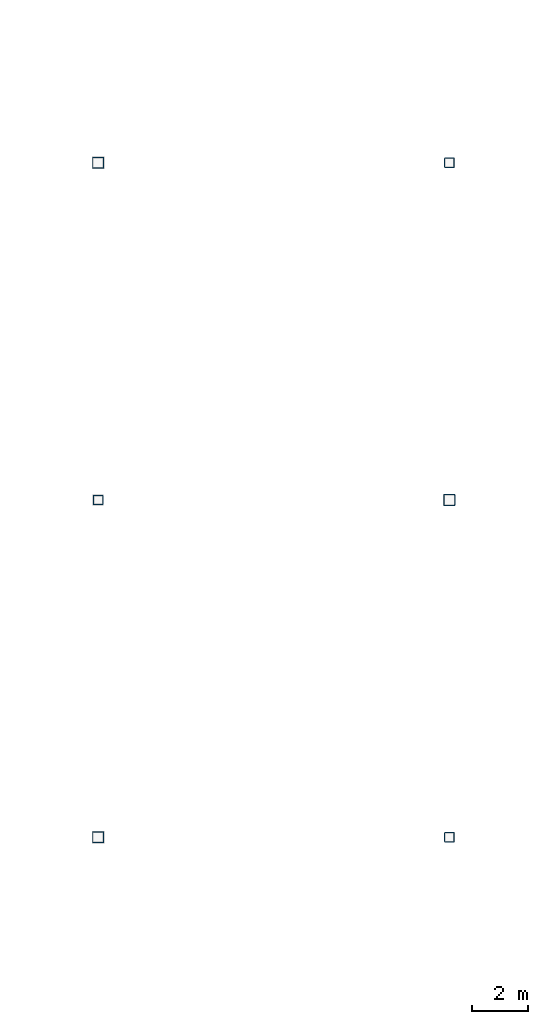
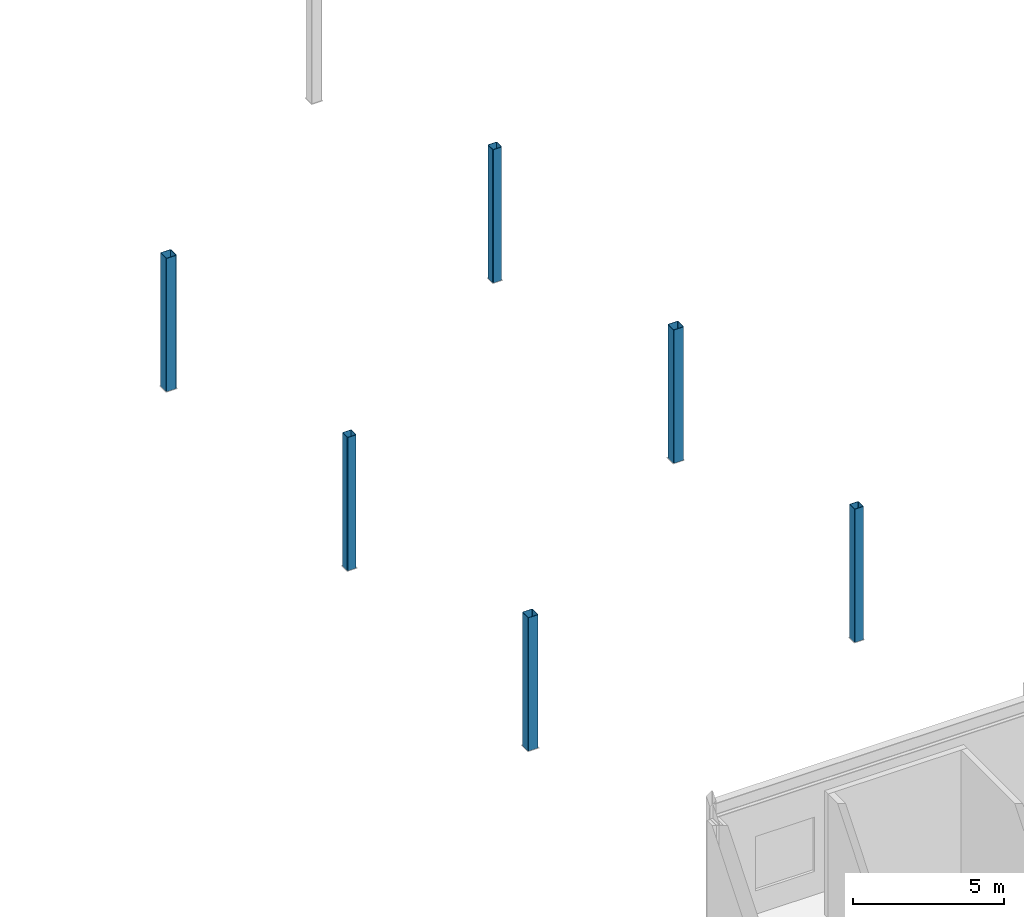
# One storey, part 14 of 76: 6 columns.
"""IFC4 building model written with IfcOpenShell, lengths in metres."""

from ifc_helpers import new_model, si_unit, direction, frame, origin, origin_2d, place, context, subcontext, project, spatial, hollow_rectangle, extrude, material, material_profile, profile_set, type_object, element, save


model = new_model("IFC4")

# Units and contexts
model_context = context("Model", 3, precision=1e-05, world=origin(), true_north=direction((0.0, 1.0)))
body_context = subcontext(model_context, "Body", "Model", "MODEL_VIEW")
ifc_project = project(units=[si_unit("LENGTHUNIT", "METRE"), si_unit("AREAUNIT", "SQUARE_METRE"), si_unit("VOLUMEUNIT", "CUBIC_METRE"), si_unit("PLANEANGLEUNIT", "RADIAN"), si_unit("MASSUNIT", "GRAM", prefix="KILO")], contexts=[model_context])

# Site, building, storey
site_placement = place(None, origin())
site = spatial("IfcSite", under=ifc_project, at=site_placement, CompositionType="ELEMENT")
building_placement = place(site_placement, origin())
building = spatial("IfcBuilding", under=site, at=building_placement, Name="Kazenohara Klinker Stadium", CompositionType="ELEMENT")
storey_placement = place(building_placement, frame((0.0, 0.0, 25.800048828125)))
storey = spatial("IfcBuildingStorey", under=building, at=storey_placement, Name="L05", CompositionType="ELEMENT", Elevation=25.800048828125)

# Columns
ifc_material = material(Name="Steel S355", Category="steel")
ifc_material_profile_1 = material_profile(ifc_material, hollow_rectangle(XDim=0.39990234375, YDim=0.39990234375, WallThickness=0.01611328125, InnerFilletRadius=0.01611328125, OuterFilletRadius=0.031982421875, at=origin_2d()), Name="SHS-400x400x16")
ifc_profile_set_1 = profile_set([ifc_material_profile_1], Name="Steel S355")
column_type_1 = type_object("IfcColumnType", Name="COL-ST01", PredefinedType="COLUMN", material=ifc_profile_set_1)
for number, where, z_axis, x_axis, name in (
    (1, (175.0, 48.0, 0.0), (0.0, 0.0, 1.0), (1.0, 0.0, 0.0), "Canopy ring support column SC01 L05 15/E"),
    (2, (175.0, 72.0, 0.0), (0.0, 0.0, 1.0), (1.0, 0.0, 0.0), "Canopy ring support column SC01 L05 15/G"),
    (3, (187.5, 60.0, 0.0), (0.0, 0.0, 1.0), (1.0, 0.0, 0.0), "Canopy ring support column SC01 L05 16/F"),
):
    element("IfcColumn", number, at=place(storey_placement, frame(where, z_axis=z_axis, x_axis=x_axis)), inside=storey, type_object=column_type_1, Name=name, PredefinedType="COLUMN", context=body_context, shape_type="SweptSolid", body=[
        extrude(hollow_rectangle(XDim=0.39990234375, YDim=0.39990234375, WallThickness=0.01611328125, InnerFilletRadius=0.01611328125, OuterFilletRadius=0.031982421875, at=origin_2d()), origin(), (0.0, 0.0, 1.0), 5.39990234375),
    ])
ifc_material_profile_2 = material_profile(ifc_material, hollow_rectangle(XDim=0.35009765625, YDim=0.35009765625, WallThickness=0.01611328125, InnerFilletRadius=0.01611328125, OuterFilletRadius=0.031982421875, at=origin_2d()), Name="SHS-350x350x16")
ifc_profile_set_2 = profile_set([ifc_material_profile_2], Name="Steel S355")
column_type_2 = type_object("IfcColumnType", Name="COL-ST02", PredefinedType="COLUMN", material=ifc_profile_set_2)
for number, where, z_axis, x_axis, name in (
    (4, (175.0, 60.0, 0.0), (0.0, 0.0, 1.0), (1.0, 0.0, 0.0), "Canopy ring support column SC02 L05 15/F"),
    (5, (187.5, 48.0, 0.0), (0.0, 0.0, 1.0), (1.0, 0.0, 0.0), "Canopy ring support column SC02 L05 16/E"),
    (6, (187.5, 72.0, 0.0), (0.0, 0.0, 1.0), (1.0, 0.0, 0.0), "Canopy ring support column SC02 L05 16/G"),
):
    element("IfcColumn", number, at=place(storey_placement, frame(where, z_axis=z_axis, x_axis=x_axis)), inside=storey, type_object=column_type_2, Name=name, PredefinedType="COLUMN", context=body_context, shape_type="SweptSolid", body=[
        extrude(hollow_rectangle(XDim=0.35009765625, YDim=0.35009765625, WallThickness=0.01611328125, InnerFilletRadius=0.01611328125, OuterFilletRadius=0.031982421875, at=origin_2d()), origin(), (0.0, 0.0, 1.0), 5.39990234375),
    ])

save(model, "model.ifc")
